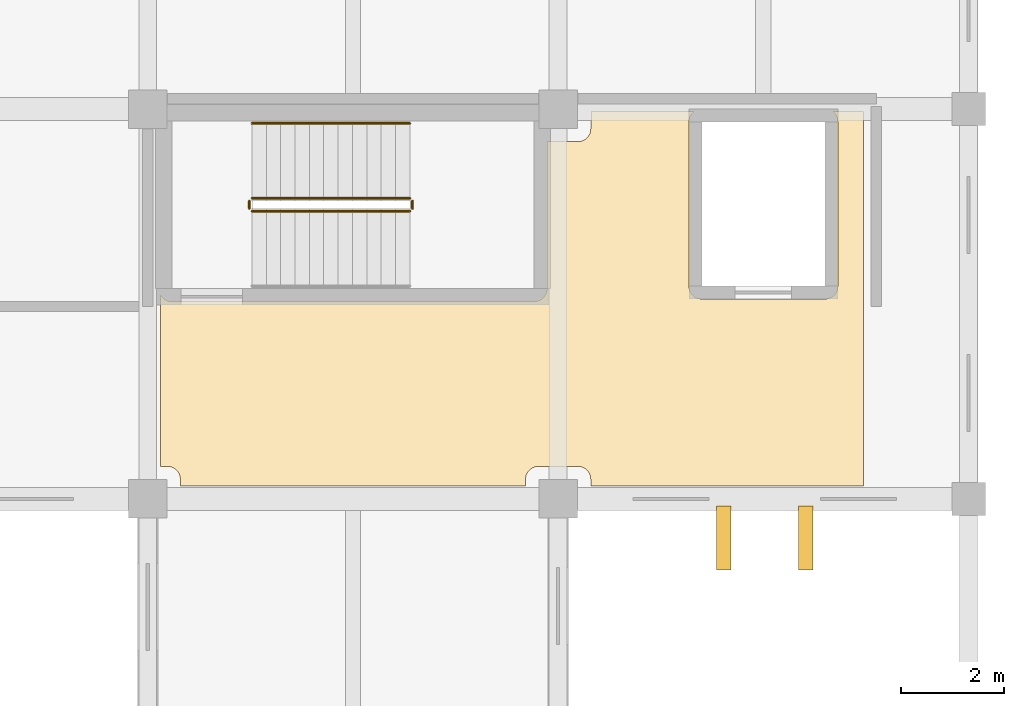
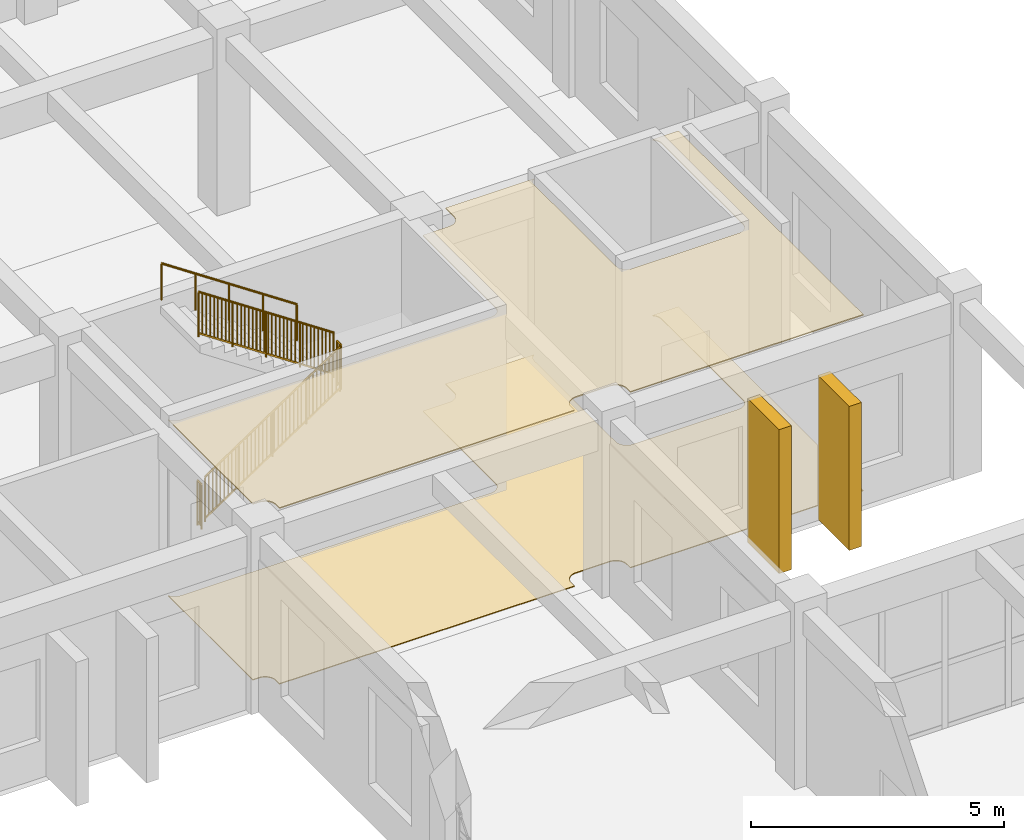
# One storey, part 75 of 79: 5 railings, 2 coverings, 2 shading devices.
"""IFC4 building model written with IfcOpenShell, lengths in metres."""

from ifc_helpers import new_model, si_unit, direction, frame, origin, origin_2d, place, context, subcontext, project, spatial, polyline, rectangle, circle, outline, extrude, material, layer, layer_set, type_object, element, save


model = new_model("IFC4")

# Units and contexts
model_context = context("Model", 3, precision=1e-05, world=origin(), true_north=direction((0.0, 1.0)))
body_context = subcontext(model_context, "Body", "Model", "MODEL_VIEW")
ifc_project = project(units=[si_unit("LENGTHUNIT", "METRE"), si_unit("AREAUNIT", "SQUARE_METRE"), si_unit("VOLUMEUNIT", "CUBIC_METRE"), si_unit("PLANEANGLEUNIT", "RADIAN"), si_unit("MASSUNIT", "GRAM", prefix="KILO")], contexts=[model_context])

# Site, building, storey
site_placement = place(None, origin())
site = spatial("IfcSite", under=ifc_project, at=site_placement, CompositionType="ELEMENT")
building_placement = place(site_placement, origin())
building = spatial("IfcBuilding", under=site, at=building_placement, Name="Zantavel Square City Hall", CompositionType="ELEMENT")
storey_placement = place(building_placement, frame((0.0, 0.0, 10.199951171875)))
storey = spatial("IfcBuildingStorey", under=building, at=storey_placement, Name="L03", CompositionType="ELEMENT", Elevation=10.199951171875)

# Railings
ifc_material_1 = material(Name="Steel ASTM A500 Grade B", Category="steel")
railing_type_1 = type_object("IfcRailingType", Name="Atrium & Gallery Steel Guard Railing 1100mm", PredefinedType="GUARDRAIL", material=ifc_material_1)
railing_1_placement = place(storey_placement, frame((50.030029296875, 81.610107421875, 0.1875)))
element("IfcRailing", 1, at=railing_1_placement, inside=storey, type_object=railing_type_1, Name="L03 ST1 stair guard 1", PredefinedType="GUARDRAIL", context=body_context, shape_type="SweptSolid", body=[
    extrude(circle(Radius=0.02392578125, at=origin_2d()), frame((0.0, 0.0, 1.076171875), z_axis=(0.830913701846, 0.0, 0.55640131208), x_axis=(0.0, 1.0, 0.0)), (0.0, 0.0, 1.0), 3.706787109375),
    extrude(rectangle(XDim=0.031982421875, YDim=0.031982421875, at=origin_2d()), frame((0.0, 0.0, 0.080078125), z_axis=(0.830913701846, 0.0, 0.55640131208), x_axis=(0.0, 1.0, 0.0)), (0.0, 0.0, 1.0), 3.706787109375),
    extrude(rectangle(XDim=0.02197265625, YDim=0.02197265625, at=origin_2d()), frame((0.087890625, 0.0, 0.138916015625)), (0.0, 0.0, 1.0), 0.971923828125),
    extrude(rectangle(XDim=0.02197265625, YDim=0.02197265625, at=origin_2d()), frame((0.176025390625, 0.0, 0.19775390625)), (0.0, 0.0, 1.0), 0.971923828125),
    extrude(rectangle(XDim=0.02197265625, YDim=0.02197265625, at=origin_2d()), frame((0.263916015625, 0.0, 0.2568359375)), (0.0, 0.0, 1.0), 0.971923828125),
    extrude(rectangle(XDim=0.02197265625, YDim=0.02197265625, at=origin_2d()), frame((0.35205078125, 0.0, 0.315673828125)), (0.0, 0.0, 1.0), 0.971923828125),
    extrude(rectangle(XDim=0.02197265625, YDim=0.02197265625, at=origin_2d()), frame((0.43994140625, 0.0, 0.374755859375)), (0.0, 0.0, 1.0), 0.971923828125),
    extrude(rectangle(XDim=0.02197265625, YDim=0.02197265625, at=origin_2d()), frame((0.528076171875, 0.0, 0.43359375)), (0.0, 0.0, 1.0), 0.971923828125),
    extrude(rectangle(XDim=0.02197265625, YDim=0.02197265625, at=origin_2d()), frame((0.615966796875, 0.0, 0.492431640625)), (0.0, 0.0, 1.0), 0.971923828125),
    extrude(rectangle(XDim=0.02197265625, YDim=0.02197265625, at=origin_2d()), frame((0.7041015625, 0.0, 0.551513671875)), (0.0, 0.0, 1.0), 0.971923828125),
    extrude(rectangle(XDim=0.02197265625, YDim=0.02197265625, at=origin_2d()), frame((0.880126953125, 0.0, 0.669189453125)), (0.0, 0.0, 1.0), 0.971923828125),
    extrude(rectangle(XDim=0.02197265625, YDim=0.02197265625, at=origin_2d()), frame((0.968017578125, 0.0, 0.728271484375)), (0.0, 0.0, 1.0), 0.971923828125),
    extrude(rectangle(XDim=0.02197265625, YDim=0.02197265625, at=origin_2d()), frame((1.055908203125, 0.0, 0.787109375)), (0.0, 0.0, 1.0), 0.971923828125),
    extrude(rectangle(XDim=0.02197265625, YDim=0.02197265625, at=origin_2d()), frame((1.14404296875, 0.0, 0.84619140625)), (0.0, 0.0, 1.0), 0.971923828125),
    extrude(rectangle(XDim=0.02197265625, YDim=0.02197265625, at=origin_2d()), frame((1.23193359375, 0.0, 0.905029296875)), (0.0, 0.0, 1.0), 0.971923828125),
    extrude(rectangle(XDim=0.02197265625, YDim=0.02197265625, at=origin_2d()), frame((1.320068359375, 0.0, 0.9638671875)), (0.0, 0.0, 1.0), 0.971923828125),
    extrude(rectangle(XDim=0.02197265625, YDim=0.02197265625, at=origin_2d()), frame((1.407958984375, 0.0, 1.02294921875)), (0.0, 0.0, 1.0), 0.971923828125),
    extrude(rectangle(XDim=0.02197265625, YDim=0.02197265625, at=origin_2d()), frame((1.49609375, 0.0, 1.081787109375)), (0.0, 0.0, 1.0), 0.971923828125),
    extrude(rectangle(XDim=0.02197265625, YDim=0.02197265625, at=origin_2d()), frame((1.583984375, 0.0, 1.140625)), (0.0, 0.0, 1.0), 0.971923828125),
    extrude(rectangle(XDim=0.02197265625, YDim=0.02197265625, at=origin_2d()), frame((1.672119140625, 0.0, 1.19970703125)), (0.0, 0.0, 1.0), 0.971923828125),
    extrude(rectangle(XDim=0.02197265625, YDim=0.02197265625, at=origin_2d()), frame((1.760009765625, 0.0, 1.258544921875)), (0.0, 0.0, 1.0), 0.971923828125),
    extrude(rectangle(XDim=0.02197265625, YDim=0.02197265625, at=origin_2d()), frame((1.84814453125, 0.0, 1.3173828125)), (0.0, 0.0, 1.0), 0.971923828125),
    extrude(rectangle(XDim=0.02197265625, YDim=0.02197265625, at=origin_2d()), frame((1.93603515625, 0.0, 1.37646484375)), (0.0, 0.0, 1.0), 0.971923828125),
    extrude(rectangle(XDim=0.02197265625, YDim=0.02197265625, at=origin_2d()), frame((2.024169921875, 0.0, 1.435302734375)), (0.0, 0.0, 1.0), 0.971923828125),
    extrude(rectangle(XDim=0.02197265625, YDim=0.02197265625, at=origin_2d()), frame((2.112060546875, 0.0, 1.494384765625)), (0.0, 0.0, 1.0), 0.971923828125),
    extrude(rectangle(XDim=0.02197265625, YDim=0.02197265625, at=origin_2d()), frame((2.199951171875, 0.0, 1.55322265625)), (0.0, 0.0, 1.0), 0.971923828125),
    extrude(rectangle(XDim=0.02197265625, YDim=0.02197265625, at=origin_2d()), frame((2.3759765625, 0.0, 1.671142578125)), (0.0, 0.0, 1.0), 0.971923828125),
    extrude(rectangle(XDim=0.02197265625, YDim=0.02197265625, at=origin_2d()), frame((2.464111328125, 0.0, 1.72998046875)), (0.0, 0.0, 1.0), 0.971923828125),
    extrude(rectangle(XDim=0.02197265625, YDim=0.02197265625, at=origin_2d()), frame((2.552001953125, 0.0, 1.788818359375)), (0.0, 0.0, 1.0), 0.971923828125),
    extrude(rectangle(XDim=0.02197265625, YDim=0.02197265625, at=origin_2d()), frame((2.64013671875, 0.0, 1.847900390625)), (0.0, 0.0, 1.0), 0.971923828125),
    extrude(rectangle(XDim=0.02197265625, YDim=0.02197265625, at=origin_2d()), frame((2.72802734375, 0.0, 1.90673828125)), (0.0, 0.0, 1.0), 0.971923828125),
    extrude(rectangle(XDim=0.02197265625, YDim=0.02197265625, at=origin_2d()), frame((2.816162109375, 0.0, 1.9658203125)), (0.0, 0.0, 1.0), 0.971923828125),
    extrude(rectangle(XDim=0.02197265625, YDim=0.02197265625, at=origin_2d()), frame((2.904052734375, 0.0, 2.024658203125)), (0.0, 0.0, 1.0), 0.971923828125),
    extrude(rectangle(XDim=0.02197265625, YDim=0.02197265625, at=origin_2d()), frame((2.9921875, 0.0, 2.08349609375)), (0.0, 0.0, 1.0), 0.971923828125),
    extrude(circle(Radius=0.02099609375, at=origin_2d()), origin(), (0.0, 0.0, 1.0), 1.052001953125),
    extrude(circle(Radius=0.02099609375, at=origin_2d()), frame((0.77001953125, 0.0, 0.515625)), (0.0, 0.0, 1.0), 1.052001953125),
    extrude(circle(Radius=0.02099609375, at=origin_2d()), frame((1.5400390625, 0.0, 1.03125)), (0.0, 0.0, 1.0), 1.052001953125),
    extrude(circle(Radius=0.02099609375, at=origin_2d()), frame((2.31005859375, 0.0, 1.546875)), (0.0, 0.0, 1.0), 1.052001953125),
    extrude(circle(Radius=0.02099609375, at=origin_2d()), frame((3.080078125, 0.0, 2.0625)), (0.0, 0.0, 1.0), 1.052001953125),
])
railing_2_placement = place(storey_placement, frame((53.159912109375, 81.659912109375, 2.25)))
element("IfcRailing", 2, at=railing_2_placement, inside=storey, type_object=railing_type_1, Name="L03 ST1 stair guard 2", PredefinedType="GUARDRAIL", context=body_context, shape_type="SweptSolid", body=[
    extrude(circle(Radius=0.02392578125, at=origin_2d()), frame((0.0, 0.0, 1.076171875), z_axis=(0.0, 1.0, 0.0), x_axis=(-1.0, 0.0, 0.0)), (0.0, 0.0, 1.0), 0.150146484375),
    extrude(rectangle(XDim=0.031982421875, YDim=0.031982421875, at=origin_2d()), frame((0.0, 0.0, 0.080078125), z_axis=(0.0, 1.0, 0.0), x_axis=(-1.0, 0.0, 0.0)), (0.0, 0.0, 1.0), 0.150146484375),
    extrude(rectangle(XDim=0.02197265625, YDim=0.02197265625, at=origin_2d()), frame((0.0, 0.0751953125, 0.080078125)), (0.0, 0.0, 1.0), 0.971923828125),
    extrude(circle(Radius=0.02099609375, at=origin_2d()), origin(), (0.0, 0.0, 1.0), 1.052001953125),
    extrude(circle(Radius=0.02099609375, at=origin_2d()), frame((0.0, 0.150146484375, 0.0)), (0.0, 0.0, 1.0), 1.052001953125),
])
railing_3_placement = place(storey_placement, frame((53.110107421875, 81.860107421875, 2.4375)))
element("IfcRailing", 3, at=railing_3_placement, inside=storey, type_object=railing_type_1, Name="L03 ST1 stair guard 3", PredefinedType="GUARDRAIL", context=body_context, shape_type="SweptSolid", body=[
    extrude(circle(Radius=0.02392578125, at=origin_2d()), frame((0.0, 0.0, 1.076171875), z_axis=(-0.830913701846, 0.0, 0.55640131208), x_axis=(0.0, -1.0, 0.0)), (0.0, 0.0, 1.0), 3.706787109375),
    extrude(rectangle(XDim=0.031982421875, YDim=0.031982421875, at=origin_2d()), frame((0.0, 0.0, 0.080078125), z_axis=(-0.830913701846, 0.0, 0.55640131208), x_axis=(0.0, -1.0, 0.0)), (0.0, 0.0, 1.0), 3.706787109375),
    extrude(rectangle(XDim=0.02197265625, YDim=0.02197265625, at=origin_2d()), frame((-0.087890625, 0.0, 0.138916015625)), (0.0, 0.0, 1.0), 0.971923828125),
    extrude(rectangle(XDim=0.02197265625, YDim=0.02197265625, at=origin_2d()), frame((-0.176025390625, 0.0, 0.19775390625)), (0.0, 0.0, 1.0), 0.971923828125),
    extrude(rectangle(XDim=0.02197265625, YDim=0.02197265625, at=origin_2d()), frame((-0.263916015625, 0.0, 0.2568359375)), (0.0, 0.0, 1.0), 0.971923828125),
    extrude(rectangle(XDim=0.02197265625, YDim=0.02197265625, at=origin_2d()), frame((-0.35205078125, 0.0, 0.315673828125)), (0.0, 0.0, 1.0), 0.971923828125),
    extrude(rectangle(XDim=0.02197265625, YDim=0.02197265625, at=origin_2d()), frame((-0.43994140625, 0.0, 0.374755859375)), (0.0, 0.0, 1.0), 0.971923828125),
    extrude(rectangle(XDim=0.02197265625, YDim=0.02197265625, at=origin_2d()), frame((-0.528076171875, 0.0, 0.43359375)), (0.0, 0.0, 1.0), 0.971923828125),
    extrude(rectangle(XDim=0.02197265625, YDim=0.02197265625, at=origin_2d()), frame((-0.615966796875, 0.0, 0.492431640625)), (0.0, 0.0, 1.0), 0.971923828125),
    extrude(rectangle(XDim=0.02197265625, YDim=0.02197265625, at=origin_2d()), frame((-0.7041015625, 0.0, 0.551513671875)), (0.0, 0.0, 1.0), 0.971923828125),
    extrude(rectangle(XDim=0.02197265625, YDim=0.02197265625, at=origin_2d()), frame((-0.880126953125, 0.0, 0.669189453125)), (0.0, 0.0, 1.0), 0.971923828125),
    extrude(rectangle(XDim=0.02197265625, YDim=0.02197265625, at=origin_2d()), frame((-0.968017578125, 0.0, 0.728271484375)), (0.0, 0.0, 1.0), 0.971923828125),
    extrude(rectangle(XDim=0.02197265625, YDim=0.02197265625, at=origin_2d()), frame((-1.055908203125, 0.0, 0.787109375)), (0.0, 0.0, 1.0), 0.971923828125),
    extrude(rectangle(XDim=0.02197265625, YDim=0.02197265625, at=origin_2d()), frame((-1.14404296875, 0.0, 0.84619140625)), (0.0, 0.0, 1.0), 0.971923828125),
    extrude(rectangle(XDim=0.02197265625, YDim=0.02197265625, at=origin_2d()), frame((-1.23193359375, 0.0, 0.905029296875)), (0.0, 0.0, 1.0), 0.971923828125),
    extrude(rectangle(XDim=0.02197265625, YDim=0.02197265625, at=origin_2d()), frame((-1.320068359375, 0.0, 0.9638671875)), (0.0, 0.0, 1.0), 0.971923828125),
    extrude(rectangle(XDim=0.02197265625, YDim=0.02197265625, at=origin_2d()), frame((-1.407958984375, 0.0, 1.02294921875)), (0.0, 0.0, 1.0), 0.971923828125),
    extrude(rectangle(XDim=0.02197265625, YDim=0.02197265625, at=origin_2d()), frame((-1.49609375, 0.0, 1.081787109375)), (0.0, 0.0, 1.0), 0.971923828125),
    extrude(rectangle(XDim=0.02197265625, YDim=0.02197265625, at=origin_2d()), frame((-1.583984375, 0.0, 1.140625)), (0.0, 0.0, 1.0), 0.971923828125),
    extrude(rectangle(XDim=0.02197265625, YDim=0.02197265625, at=origin_2d()), frame((-1.672119140625, 0.0, 1.19970703125)), (0.0, 0.0, 1.0), 0.971923828125),
    extrude(rectangle(XDim=0.02197265625, YDim=0.02197265625, at=origin_2d()), frame((-1.760009765625, 0.0, 1.258544921875)), (0.0, 0.0, 1.0), 0.971923828125),
    extrude(rectangle(XDim=0.02197265625, YDim=0.02197265625, at=origin_2d()), frame((-1.84814453125, 0.0, 1.3173828125)), (0.0, 0.0, 1.0), 0.971923828125),
    extrude(rectangle(XDim=0.02197265625, YDim=0.02197265625, at=origin_2d()), frame((-1.93603515625, 0.0, 1.37646484375)), (0.0, 0.0, 1.0), 0.971923828125),
    extrude(rectangle(XDim=0.02197265625, YDim=0.02197265625, at=origin_2d()), frame((-2.024169921875, 0.0, 1.435302734375)), (0.0, 0.0, 1.0), 0.971923828125),
    extrude(rectangle(XDim=0.02197265625, YDim=0.02197265625, at=origin_2d()), frame((-2.112060546875, 0.0, 1.494384765625)), (0.0, 0.0, 1.0), 0.971923828125),
    extrude(rectangle(XDim=0.02197265625, YDim=0.02197265625, at=origin_2d()), frame((-2.199951171875, 0.0, 1.55322265625)), (0.0, 0.0, 1.0), 0.971923828125),
    extrude(rectangle(XDim=0.02197265625, YDim=0.02197265625, at=origin_2d()), frame((-2.3759765625, 0.0, 1.671142578125)), (0.0, 0.0, 1.0), 0.971923828125),
    extrude(rectangle(XDim=0.02197265625, YDim=0.02197265625, at=origin_2d()), frame((-2.464111328125, 0.0, 1.72998046875)), (0.0, 0.0, 1.0), 0.971923828125),
    extrude(rectangle(XDim=0.02197265625, YDim=0.02197265625, at=origin_2d()), frame((-2.552001953125, 0.0, 1.788818359375)), (0.0, 0.0, 1.0), 0.971923828125),
    extrude(rectangle(XDim=0.02197265625, YDim=0.02197265625, at=origin_2d()), frame((-2.64013671875, 0.0, 1.847900390625)), (0.0, 0.0, 1.0), 0.971923828125),
    extrude(rectangle(XDim=0.02197265625, YDim=0.02197265625, at=origin_2d()), frame((-2.72802734375, 0.0, 1.90673828125)), (0.0, 0.0, 1.0), 0.971923828125),
    extrude(rectangle(XDim=0.02197265625, YDim=0.02197265625, at=origin_2d()), frame((-2.816162109375, 0.0, 1.9658203125)), (0.0, 0.0, 1.0), 0.971923828125),
    extrude(rectangle(XDim=0.02197265625, YDim=0.02197265625, at=origin_2d()), frame((-2.904052734375, 0.0, 2.024658203125)), (0.0, 0.0, 1.0), 0.971923828125),
    extrude(rectangle(XDim=0.02197265625, YDim=0.02197265625, at=origin_2d()), frame((-2.9921875, 0.0, 2.08349609375)), (0.0, 0.0, 1.0), 0.971923828125),
    extrude(circle(Radius=0.02099609375, at=origin_2d()), origin(), (0.0, 0.0, 1.0), 1.052001953125),
    extrude(circle(Radius=0.02099609375, at=origin_2d()), frame((-0.77001953125, 0.0, 0.515625)), (0.0, 0.0, 1.0), 1.052001953125),
    extrude(circle(Radius=0.02099609375, at=origin_2d()), frame((-1.5400390625, 0.0, 1.03125)), (0.0, 0.0, 1.0), 1.052001953125),
    extrude(circle(Radius=0.02099609375, at=origin_2d()), frame((-2.31005859375, 0.0, 1.546875)), (0.0, 0.0, 1.0), 1.052001953125),
    extrude(circle(Radius=0.02099609375, at=origin_2d()), frame((-3.080078125, 0.0, 2.0625)), (0.0, 0.0, 1.0), 1.052001953125),
])
railing_4_placement = place(storey_placement, frame((49.97998046875, 81.659912109375, 0.0)))
element("IfcRailing", 4, at=railing_4_placement, inside=storey, type_object=railing_type_1, Name="L03 ST1 stair guard 4", PredefinedType="GUARDRAIL", context=body_context, shape_type="SweptSolid", body=[
    extrude(circle(Radius=0.02392578125, at=origin_2d()), frame((0.0, 0.0, 1.076171875), z_axis=(0.0, 1.0, 0.0), x_axis=(-1.0, 0.0, 0.0)), (0.0, 0.0, 1.0), 0.150146484375),
    extrude(rectangle(XDim=0.031982421875, YDim=0.031982421875, at=origin_2d()), frame((0.0, 0.0, 0.080078125), z_axis=(0.0, 1.0, 0.0), x_axis=(-1.0, 0.0, 0.0)), (0.0, 0.0, 1.0), 0.150146484375),
    extrude(rectangle(XDim=0.02197265625, YDim=0.02197265625, at=origin_2d()), frame((0.0, 0.0751953125, 0.080078125)), (0.0, 0.0, 1.0), 0.971923828125),
    extrude(circle(Radius=0.02099609375, at=origin_2d()), origin(), (0.0, 0.0, 1.0), 1.052001953125),
    extrude(circle(Radius=0.02099609375, at=origin_2d()), frame((0.0, 0.150146484375, 0.0)), (0.0, 0.0, 1.0), 1.052001953125),
])

# Shading devices
ifc_material_2 = material(Name="Cantera volcanic tuff stone", Category="masonry")
shading_device_type = type_object("IfcShadingDeviceType", Name="Cantera Vertical Solar Shading Pier 280x1240", PredefinedType="USERDEFINED", material=ifc_material_2)
for number, where, z_axis, x_axis, name in (
    (5, (60.824951171875, 75.239990234375, 0.0), (0.0, 0.0, 1.0), (1.0, 0.0, 0.0), "L03 Cantera Solar Pier 021"),
    (6, (59.22509765625, 75.239990234375, 0.0), (0.0, 0.0, 1.0), (1.0, 0.0, 0.0), "L03 Cantera Solar Pier 022"),
):
    element("IfcShadingDevice", number, at=place(storey_placement, frame(where, z_axis=z_axis, x_axis=x_axis)), inside=storey, type_object=shading_device_type, Name=name, ObjectType="FIN", PredefinedType="USERDEFINED", context=body_context, shape_type="SweptSolid", body=[
        extrude(rectangle(XDim=0.280029296875, YDim=1.239990234375, at=origin_2d()), origin(), (0.0, 0.0, 1.0), 3.469970703125),
    ])

# Coverings
ifc_material_3 = material(Name="Terrazzo stone finish", Category="masonry")
ifc_layer_1 = layer(ifc_material_3, 0.02001953125, Name="Terrazzo stone finish")
ifc_layer_set_1 = layer_set([ifc_layer_1], Name="Terrazzo stone finish")
covering_type_1 = type_object("IfcCoveringType", Name="Honed Cantera-Terrazzo Civic Flooring 20mm", PredefinedType="FLOORING", material=ifc_layer_set_1)
covering_1_placement = place(storey_placement, origin())
element("IfcCovering", 7, at=covering_1_placement, inside=storey, type_object=covering_type_1, Name="L03 L03 North-West Lift Lobby Terrazzo Flooring", PredefinedType="FLOORING", context=body_context, shape_type="SweptSolid", body=[
    extrude(outline(polyline([(48.276611328125, 79.94140625), (48.293212890625, 79.923095703125), (48.311279296875, 79.90673828125), (48.3310546875, 79.89208984375), (48.352294921875, 79.87939453125), (48.374267578125, 79.868896484375), (48.3974609375, 79.86083984375), (48.421142578125, 79.854736328125), (48.445556640625, 79.851318359375), (48.469970703125, 79.85009765625), (55.530029296875, 79.85009765625), (55.554443359375, 79.851318359375), (55.578857421875, 79.854736328125), (55.6025390625, 79.86083984375), (55.625732421875, 79.868896484375), (55.647705078125, 79.87939453125), (55.6689453125, 79.89208984375), (55.688720703125, 79.90673828125), (55.706787109375, 79.923095703125), (55.723388671875, 79.94140625), (55.73779296875, 79.961181640625), (55.75048828125, 79.982177734375), (55.760986328125, 80.00439453125), (55.769287109375, 80.02734375), (55.775146484375, 80.05126953125), (55.77880859375, 80.075439453125), (55.780029296875, 80.10009765625), (55.780029296875, 82.965087890625), (56.385009765625, 82.965087890625), (56.409423828125, 82.96630859375), (56.433837890625, 82.9697265625), (56.45751953125, 82.975830078125), (56.480712890625, 82.98388671875), (56.502685546875, 82.994384765625), (56.52392578125, 83.007080078125), (56.543701171875, 83.021728515625), (56.561767578125, 83.0380859375), (56.578369140625, 83.056396484375), (56.593017578125, 83.076171875), (56.60546875, 83.09716796875), (56.615966796875, 83.119384765625), (56.624267578125, 83.142333984375), (56.630126953125, 83.166259765625), (56.6337890625, 83.1904296875), (56.635009765625, 83.215087890625), (56.635009765625, 83.550048828125), (58.650390625, 83.550048828125), (58.641357421875, 83.543212890625), (58.623291015625, 83.52685546875), (58.606689453125, 83.508544921875), (58.592041015625, 83.489013671875), (58.57958984375, 83.4677734375), (58.569091796875, 83.44580078125), (58.560791015625, 83.422607421875), (58.5546875, 83.398681640625), (58.55126953125, 83.37451171875), (58.550048828125, 83.35009765625), (58.550048828125, 80.14990234375), (58.55126953125, 80.12548828125), (58.5546875, 80.101318359375), (58.560791015625, 80.077392578125), (58.569091796875, 80.05419921875), (58.57958984375, 80.0322265625), (58.592041015625, 80.010986328125), (58.606689453125, 79.991455078125), (58.623291015625, 79.97314453125), (58.641357421875, 79.956787109375), (58.6611328125, 79.942138671875), (58.68212890625, 79.929443359375), (58.704345703125, 79.9189453125), (58.727294921875, 79.910888671875), (58.751220703125, 79.90478515625), (58.775390625, 79.901123046875), (58.800048828125, 79.89990234375), (61.199951171875, 79.89990234375), (61.224609375, 79.901123046875), (61.248779296875, 79.90478515625), (61.272705078125, 79.910888671875), (61.295654296875, 79.9189453125), (61.31787109375, 79.929443359375), (61.3388671875, 79.942138671875), (61.358642578125, 79.956787109375), (61.376708984375, 79.97314453125), (61.393310546875, 79.991455078125), (61.407958984375, 80.010986328125), (61.42041015625, 80.0322265625), (61.430908203125, 80.05419921875), (61.439208984375, 80.077392578125), (61.4453125, 80.101318359375), (61.44873046875, 80.12548828125), (61.449951171875, 80.14990234375), (61.449951171875, 83.35009765625), (61.44873046875, 83.37451171875), (61.4453125, 83.398681640625), (61.439208984375, 83.422607421875), (61.430908203125, 83.44580078125), (61.42041015625, 83.4677734375), (61.407958984375, 83.489013671875), (61.393310546875, 83.508544921875), (61.376708984375, 83.52685546875), (61.358642578125, 83.543212890625), (61.349609375, 83.550048828125), (61.949951171875, 83.550048828125), (61.949951171875, 76.25), (56.635009765625, 76.25), (56.635009765625, 76.385009765625), (56.6337890625, 76.409423828125), (56.630126953125, 76.433837890625), (56.624267578125, 76.45751953125), (56.615966796875, 76.480712890625), (56.60546875, 76.502685546875), (56.593017578125, 76.52392578125), (56.578369140625, 76.543701171875), (56.561767578125, 76.561767578125), (56.543701171875, 76.578369140625), (56.52392578125, 76.593017578125), (56.502685546875, 76.60546875), (56.480712890625, 76.615966796875), (56.45751953125, 76.624267578125), (56.433837890625, 76.630126953125), (56.409423828125, 76.6337890625), (56.385009765625, 76.635009765625), (55.614990234375, 76.635009765625), (55.590576171875, 76.6337890625), (55.566162109375, 76.630126953125), (55.54248046875, 76.624267578125), (55.519287109375, 76.615966796875), (55.497314453125, 76.60546875), (55.47607421875, 76.593017578125), (55.456298828125, 76.578369140625), (55.438232421875, 76.561767578125), (55.421630859375, 76.543701171875), (55.406982421875, 76.52392578125), (55.39453125, 76.502685546875), (55.384033203125, 76.480712890625), (55.375732421875, 76.45751953125), (55.369873046875, 76.433837890625), (55.3662109375, 76.409423828125), (55.364990234375, 76.385009765625), (55.364990234375, 76.25), (48.635009765625, 76.25), (48.635009765625, 76.385009765625), (48.6337890625, 76.409423828125), (48.630126953125, 76.433837890625), (48.624267578125, 76.45751953125), (48.615966796875, 76.480712890625), (48.60546875, 76.502685546875), (48.593017578125, 76.52392578125), (48.578369140625, 76.543701171875), (48.561767578125, 76.561767578125), (48.543701171875, 76.578369140625), (48.52392578125, 76.593017578125), (48.502685546875, 76.60546875), (48.480712890625, 76.615966796875), (48.45751953125, 76.624267578125), (48.433837890625, 76.630126953125), (48.409423828125, 76.6337890625), (48.385009765625, 76.635009765625), (48.25, 76.635009765625), (48.25, 79.981201171875), (48.26220703125, 79.961181640625), (48.276611328125, 79.94140625)])), origin(), (0.0, 0.0, 1.0), 0.02001953125),
])
ifc_material_4 = material(Name="Gypsum acoustic stud assembly", Category="masonry")
ifc_layer_2 = layer(ifc_material_4, 0.02490234375, Name="Gypsum acoustic stud assembly")
ifc_layer_set_2 = layer_set([ifc_layer_2], Name="Gypsum acoustic stud assembly")
covering_type_2 = type_object("IfcCoveringType", Name="Perforated Gypsum Acoustic Ceiling 25mm", PredefinedType="CEILING", material=ifc_layer_set_2)
covering_2_placement = place(storey_placement, frame((0.0, 0.0, 4.235107421875)))
element("IfcCovering", 8, at=covering_2_placement, inside=storey, type_object=covering_type_2, Name="L03 L03 North-West Lift Lobby Acoustic Ceiling", PredefinedType="CEILING", context=body_context, shape_type="SweptSolid", body=[
    extrude(outline(polyline([(48.276611328125, 79.94140625), (48.293212890625, 79.923095703125), (48.311279296875, 79.90673828125), (48.3310546875, 79.89208984375), (48.352294921875, 79.87939453125), (48.374267578125, 79.868896484375), (48.3974609375, 79.86083984375), (48.421142578125, 79.854736328125), (48.445556640625, 79.851318359375), (48.469970703125, 79.85009765625), (55.530029296875, 79.85009765625), (55.554443359375, 79.851318359375), (55.578857421875, 79.854736328125), (55.6025390625, 79.86083984375), (55.625732421875, 79.868896484375), (55.647705078125, 79.87939453125), (55.6689453125, 79.89208984375), (55.688720703125, 79.90673828125), (55.706787109375, 79.923095703125), (55.723388671875, 79.94140625), (55.73779296875, 79.961181640625), (55.75048828125, 79.982177734375), (55.760986328125, 80.00439453125), (55.769287109375, 80.02734375), (55.775146484375, 80.05126953125), (55.77880859375, 80.075439453125), (55.780029296875, 80.10009765625), (55.780029296875, 82.965087890625), (56.385009765625, 82.965087890625), (56.409423828125, 82.96630859375), (56.433837890625, 82.9697265625), (56.45751953125, 82.975830078125), (56.480712890625, 82.98388671875), (56.502685546875, 82.994384765625), (56.52392578125, 83.007080078125), (56.543701171875, 83.021728515625), (56.561767578125, 83.0380859375), (56.578369140625, 83.056396484375), (56.593017578125, 83.076171875), (56.60546875, 83.09716796875), (56.615966796875, 83.119384765625), (56.624267578125, 83.142333984375), (56.630126953125, 83.166259765625), (56.6337890625, 83.1904296875), (56.635009765625, 83.215087890625), (56.635009765625, 83.550048828125), (58.650390625, 83.550048828125), (58.641357421875, 83.543212890625), (58.623291015625, 83.52685546875), (58.606689453125, 83.508544921875), (58.592041015625, 83.489013671875), (58.57958984375, 83.4677734375), (58.569091796875, 83.44580078125), (58.560791015625, 83.422607421875), (58.5546875, 83.398681640625), (58.55126953125, 83.37451171875), (58.550048828125, 83.35009765625), (58.550048828125, 80.14990234375), (58.55126953125, 80.12548828125), (58.5546875, 80.101318359375), (58.560791015625, 80.077392578125), (58.569091796875, 80.05419921875), (58.57958984375, 80.0322265625), (58.592041015625, 80.010986328125), (58.606689453125, 79.991455078125), (58.623291015625, 79.97314453125), (58.641357421875, 79.956787109375), (58.6611328125, 79.942138671875), (58.68212890625, 79.929443359375), (58.704345703125, 79.9189453125), (58.727294921875, 79.910888671875), (58.751220703125, 79.90478515625), (58.775390625, 79.901123046875), (58.800048828125, 79.89990234375), (61.199951171875, 79.89990234375), (61.224609375, 79.901123046875), (61.248779296875, 79.90478515625), (61.272705078125, 79.910888671875), (61.295654296875, 79.9189453125), (61.31787109375, 79.929443359375), (61.3388671875, 79.942138671875), (61.358642578125, 79.956787109375), (61.376708984375, 79.97314453125), (61.393310546875, 79.991455078125), (61.407958984375, 80.010986328125), (61.42041015625, 80.0322265625), (61.430908203125, 80.05419921875), (61.439208984375, 80.077392578125), (61.4453125, 80.101318359375), (61.44873046875, 80.12548828125), (61.449951171875, 80.14990234375), (61.449951171875, 83.35009765625), (61.44873046875, 83.37451171875), (61.4453125, 83.398681640625), (61.439208984375, 83.422607421875), (61.430908203125, 83.44580078125), (61.42041015625, 83.4677734375), (61.407958984375, 83.489013671875), (61.393310546875, 83.508544921875), (61.376708984375, 83.52685546875), (61.358642578125, 83.543212890625), (61.349609375, 83.550048828125), (61.949951171875, 83.550048828125), (61.949951171875, 76.25), (56.635009765625, 76.25), (56.635009765625, 76.385009765625), (56.6337890625, 76.409423828125), (56.630126953125, 76.433837890625), (56.624267578125, 76.45751953125), (56.615966796875, 76.480712890625), (56.60546875, 76.502685546875), (56.593017578125, 76.52392578125), (56.578369140625, 76.543701171875), (56.561767578125, 76.561767578125), (56.543701171875, 76.578369140625), (56.52392578125, 76.593017578125), (56.502685546875, 76.60546875), (56.480712890625, 76.615966796875), (56.45751953125, 76.624267578125), (56.433837890625, 76.630126953125), (56.409423828125, 76.6337890625), (56.385009765625, 76.635009765625), (55.614990234375, 76.635009765625), (55.590576171875, 76.6337890625), (55.566162109375, 76.630126953125), (55.54248046875, 76.624267578125), (55.519287109375, 76.615966796875), (55.497314453125, 76.60546875), (55.47607421875, 76.593017578125), (55.456298828125, 76.578369140625), (55.438232421875, 76.561767578125), (55.421630859375, 76.543701171875), (55.406982421875, 76.52392578125), (55.39453125, 76.502685546875), (55.384033203125, 76.480712890625), (55.375732421875, 76.45751953125), (55.369873046875, 76.433837890625), (55.3662109375, 76.409423828125), (55.364990234375, 76.385009765625), (55.364990234375, 76.25), (48.635009765625, 76.25), (48.635009765625, 76.385009765625), (48.6337890625, 76.409423828125), (48.630126953125, 76.433837890625), (48.624267578125, 76.45751953125), (48.615966796875, 76.480712890625), (48.60546875, 76.502685546875), (48.593017578125, 76.52392578125), (48.578369140625, 76.543701171875), (48.561767578125, 76.561767578125), (48.543701171875, 76.578369140625), (48.52392578125, 76.593017578125), (48.502685546875, 76.60546875), (48.480712890625, 76.615966796875), (48.45751953125, 76.624267578125), (48.433837890625, 76.630126953125), (48.409423828125, 76.6337890625), (48.385009765625, 76.635009765625), (48.25, 76.635009765625), (48.25, 79.981201171875), (48.26220703125, 79.961181640625), (48.276611328125, 79.94140625)])), origin(), (0.0, 0.0, 1.0), 0.02490234375),
])

# Railing
ifc_material_5 = material(Name="Stainless steel 316", Category="steel")
railing_type_2 = type_object("IfcRailingType", Name="Stair Stainless Steel Handrail 900mm", PredefinedType="HANDRAIL", material=ifc_material_5)
railing_5_placement = place(storey_placement, frame((53.110107421875, 83.320068359375, 2.4375)))
element("IfcRailing", 9, at=railing_5_placement, inside=storey, type_object=railing_type_2, Name="L03 ST1 stair handrail 2", PredefinedType="HANDRAIL", context=body_context, shape_type="SweptSolid", body=[
    extrude(circle(Radius=0.02392578125, at=origin_2d()), frame((0.0, 0.0, 0.8759765625), z_axis=(-0.830913701846, 0.0, 0.55640131208), x_axis=(0.0, -1.0, 0.0)), (0.0, 0.0, 1.0), 3.706787109375),
    extrude(circle(Radius=0.02099609375, at=origin_2d()), origin(), (0.0, 0.0, 1.0), 0.851806640625),
    extrude(circle(Radius=0.02099609375, at=origin_2d()), frame((-0.77001953125, 0.0, 0.515625)), (0.0, 0.0, 1.0), 0.851806640625),
    extrude(circle(Radius=0.02099609375, at=origin_2d()), frame((-1.5400390625, 0.0, 1.03125)), (0.0, 0.0, 1.0), 0.851806640625),
    extrude(circle(Radius=0.02099609375, at=origin_2d()), frame((-2.31005859375, 0.0, 1.546875)), (0.0, 0.0, 1.0), 0.851806640625),
    extrude(circle(Radius=0.02099609375, at=origin_2d()), frame((-3.080078125, 0.0, 2.0625)), (0.0, 0.0, 1.0), 0.851806640625),
])

save(model, "model.ifc")
